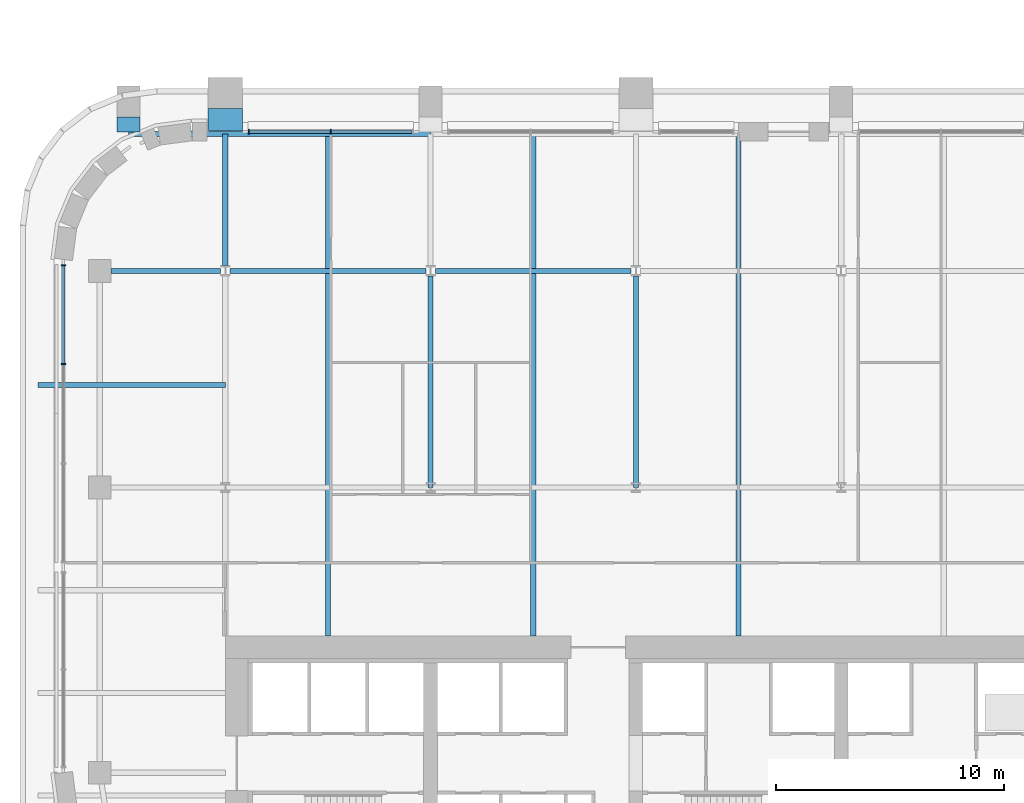
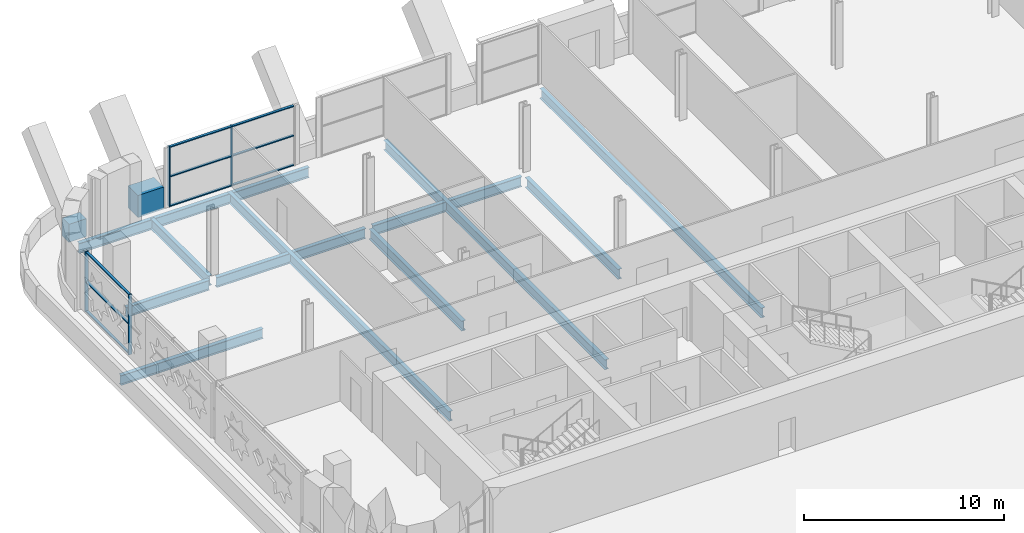
# One storey, part 8 of 26: 13 beams, 13 members, 2 elements without a shape of their own.
"""IFC4 building model written with IfcOpenShell, lengths in metres."""

from ifc_helpers import new_model, si_unit, direction, frame, origin, origin_2d, place, context, subcontext, project, spatial, rectangle, i_section, extrude, material, material_profile, profile_set, type_object, element, aggregate, save


model = new_model("IFC4")

# Units and contexts
model_context = context("Model", 3, precision=1e-05, world=origin(), true_north=direction((0.0, 1.0)))
body_context = subcontext(model_context, "Body", "Model", "MODEL_VIEW")
ifc_project = project(units=[si_unit("LENGTHUNIT", "METRE"), si_unit("AREAUNIT", "SQUARE_METRE"), si_unit("VOLUMEUNIT", "CUBIC_METRE"), si_unit("PLANEANGLEUNIT", "RADIAN"), si_unit("MASSUNIT", "GRAM", prefix="KILO")], contexts=[model_context])

# Site, building, storey
site_placement = place(None, origin())
site = spatial("IfcSite", under=ifc_project, at=site_placement, CompositionType="ELEMENT")
building_placement = place(site_placement, origin())
building = spatial("IfcBuilding", under=site, at=building_placement, Name="Zellij Exchange Tower", CompositionType="ELEMENT")
storey_placement = place(building_placement, frame((0.0, 0.0, 156.5)))
storey = spatial("IfcBuildingStorey", under=building, at=storey_placement, Name="L35", CompositionType="ELEMENT", Elevation=156.5)

# Curtain wall, members
ifc_material_1 = material(Name="Aluminium frame, clear insulating glass", Category="aluminium")
curtain_wall_type = type_object("IfcCurtainWallType", Name="ENV-CW6 Sky-lobby glazing", PredefinedType="NOTDEFINED", material=ifc_material_1)
curtain_wall_1_placement = place(storey_placement, origin())
curtain_wall_1 = element("IfcCurtainWall", 1, at=curtain_wall_1_placement, inside=storey, type_object=curtain_wall_type, Name="cw.L35.14i", PredefinedType="NOTDEFINED")
ifc_material_2 = material(Name="Aluminium", Category="aluminium")
ifc_material_profile_1 = material_profile(ifc_material_2, rectangle(XDim=0.06005859375, YDim=0.199951171875, at=origin_2d()), Name="AL 60x200")
ifc_profile_set_1 = profile_set([ifc_material_profile_1], Name="Aluminium")
member_type_1 = type_object("IfcMemberType", Name="ENV-CW6M Mullion 60x200", PredefinedType="MULLION", material=ifc_profile_set_1)
member_1_placement = place(storey_placement, frame((-22.375, 20.10009765625, 0.0), z_axis=(0.0, 0.0, 1.0), x_axis=(-1.0, 0.0, 0.0)))
member_1 = element("IfcMember", 2, at=member_1_placement, type_object=member_type_1, Name="CW6 mullion 2", PredefinedType="MULLION", context=body_context, shape_type="SweptSolid", body=[
    extrude(rectangle(XDim=0.06005859375, YDim=0.199951171875, at=origin_2d()), origin(), (0.0, 0.0, 1.0), 3.64990234375),
])
member_2_placement = place(storey_placement, frame((-25.969970703125, 20.10009765625, 0.0), z_axis=(0.0, 0.0, 1.0), x_axis=(-1.0, 0.0, 0.0)))
member_2 = element("IfcMember", 3, at=member_2_placement, type_object=member_type_1, Name="CW6 mullion 3", PredefinedType="MULLION", context=body_context, shape_type="SweptSolid", body=[
    extrude(rectangle(XDim=0.06005859375, YDim=0.199951171875, at=origin_2d()), origin(), (0.0, 0.0, 1.0), 3.64990234375),
])

curtain_wall_2_placement = place(storey_placement, origin())
curtain_wall_2 = element("IfcCurtainWall", 4, at=curtain_wall_2_placement, inside=storey, type_object=curtain_wall_type, Name="cw.L35.21a", PredefinedType="NOTDEFINED")
member_3_placement = place(storey_placement, frame((-34.10009765625, 14.243896484375, 0.0), z_axis=(0.0, 0.0, 1.0), x_axis=(0.0, -1.0, 0.0)))
member_3 = element("IfcMember", 5, at=member_3_placement, type_object=member_type_1, Name="CW6 mullion 1", PredefinedType="MULLION", context=body_context, shape_type="SweptSolid", body=[
    extrude(rectangle(XDim=0.06005859375, YDim=0.199951171875, at=origin_2d()), origin(), (0.0, 0.0, 1.0), 3.64990234375),
])
member_4_placement = place(storey_placement, frame((-34.10009765625, 9.917724609375, 0.0), z_axis=(0.0, 0.0, 1.0), x_axis=(0.0, -1.0, 0.0)))
member_4 = element("IfcMember", 6, at=member_4_placement, type_object=member_type_1, Name="CW6 mullion 2", PredefinedType="MULLION", context=body_context, shape_type="SweptSolid", body=[
    extrude(rectangle(XDim=0.06005859375, YDim=0.199951171875, at=origin_2d()), origin(), (0.0, 0.0, 1.0), 3.64990234375),
])

# Member
ifc_material_profile_2 = material_profile(ifc_material_2, rectangle(XDim=0.139892578125, YDim=0.06005859375, at=origin_2d()), Name="AL 140x60")
ifc_profile_set_2 = profile_set([ifc_material_profile_2], Name="Aluminium")
member_type_2 = type_object("IfcMemberType", Name="ENV-CW6T Transom 140x60", PredefinedType="USERDEFINED", material=ifc_profile_set_2)
member_5_placement = place(storey_placement, frame((-18.81005859375, 20.10009765625, 0.030029296875), z_axis=(-1.0, 0.0, 0.0), x_axis=(0.0, -1.0, 0.0)))
member_5 = element("IfcMember", 7, at=member_5_placement, type_object=member_type_2, Name="CW6 transom 1.1", ObjectType="TRANSOM", PredefinedType="USERDEFINED", context=body_context, shape_type="SweptSolid", body=[
    extrude(rectangle(XDim=0.139892578125, YDim=0.06005859375, at=origin_2d()), origin(), (0.0, 0.0, 1.0), 3.534912109375),
])

member_6_placement = place(storey_placement, frame((-18.81005859375, 20.10009765625, 1.824951171875), z_axis=(-1.0, 0.0, 0.0), x_axis=(0.0, -1.0, 0.0)))
member_6 = element("IfcMember", 8, at=member_6_placement, type_object=member_type_2, Name="CW6 transom 1.2", ObjectType="TRANSOM", PredefinedType="USERDEFINED", context=body_context, shape_type="SweptSolid", body=[
    extrude(rectangle(XDim=0.139892578125, YDim=0.06005859375, at=origin_2d()), origin(), (0.0, 0.0, 1.0), 3.534912109375),
])

member_7_placement = place(storey_placement, frame((-18.81005859375, 20.10009765625, 3.6201171875), z_axis=(-1.0, 0.0, 0.0), x_axis=(0.0, -1.0, 0.0)))
member_7 = element("IfcMember", 9, at=member_7_placement, type_object=member_type_2, Name="CW6 transom 1.3", ObjectType="TRANSOM", PredefinedType="USERDEFINED", context=body_context, shape_type="SweptSolid", body=[
    extrude(rectangle(XDim=0.139892578125, YDim=0.06005859375, at=origin_2d()), origin(), (0.0, 0.0, 1.0), 3.534912109375),
])

member_8_placement = place(storey_placement, frame((-22.405029296875, 20.10009765625, 0.030029296875), z_axis=(-1.0, 0.0, 0.0), x_axis=(0.0, -1.0, 0.0)))
member_8 = element("IfcMember", 10, at=member_8_placement, type_object=member_type_2, Name="CW6 transom 2.1", ObjectType="TRANSOM", PredefinedType="USERDEFINED", context=body_context, shape_type="SweptSolid", body=[
    extrude(rectangle(XDim=0.139892578125, YDim=0.06005859375, at=origin_2d()), origin(), (0.0, 0.0, 1.0), 3.534912109375),
])

member_9_placement = place(storey_placement, frame((-22.405029296875, 20.10009765625, 1.824951171875), z_axis=(-1.0, 0.0, 0.0), x_axis=(0.0, -1.0, 0.0)))
member_9 = element("IfcMember", 11, at=member_9_placement, type_object=member_type_2, Name="CW6 transom 2.2", ObjectType="TRANSOM", PredefinedType="USERDEFINED", context=body_context, shape_type="SweptSolid", body=[
    extrude(rectangle(XDim=0.139892578125, YDim=0.06005859375, at=origin_2d()), origin(), (0.0, 0.0, 1.0), 3.534912109375),
])

member_10_placement = place(storey_placement, frame((-22.405029296875, 20.10009765625, 3.6201171875), z_axis=(-1.0, 0.0, 0.0), x_axis=(0.0, -1.0, 0.0)))
member_10 = element("IfcMember", 12, at=member_10_placement, type_object=member_type_2, Name="CW6 transom 2.3", ObjectType="TRANSOM", PredefinedType="USERDEFINED", context=body_context, shape_type="SweptSolid", body=[
    extrude(rectangle(XDim=0.139892578125, YDim=0.06005859375, at=origin_2d()), origin(), (0.0, 0.0, 1.0), 3.534912109375),
])

aggregate(curtain_wall_1, [member_1, member_2, member_5, member_6, member_7, member_8, member_9, member_10])

member_11_placement = place(storey_placement, frame((-34.10009765625, 14.2138671875, 0.030029296875), z_axis=(0.0, -1.0, 0.0), x_axis=(1.0, 0.0, 0.0)))
member_11 = element("IfcMember", 13, at=member_11_placement, type_object=member_type_2, Name="CW6 transom 1.1", ObjectType="TRANSOM", PredefinedType="USERDEFINED", context=body_context, shape_type="SweptSolid", body=[
    extrude(rectangle(XDim=0.139892578125, YDim=0.06005859375, at=origin_2d()), origin(), (0.0, 0.0, 1.0), 4.26611328125),
])

member_12_placement = place(storey_placement, frame((-34.10009765625, 14.2138671875, 1.824951171875), z_axis=(0.0, -1.0, 0.0), x_axis=(1.0, 0.0, 0.0)))
member_12 = element("IfcMember", 14, at=member_12_placement, type_object=member_type_2, Name="CW6 transom 1.2", ObjectType="TRANSOM", PredefinedType="USERDEFINED", context=body_context, shape_type="SweptSolid", body=[
    extrude(rectangle(XDim=0.139892578125, YDim=0.06005859375, at=origin_2d()), origin(), (0.0, 0.0, 1.0), 4.26611328125),
])

member_13_placement = place(storey_placement, frame((-34.10009765625, 14.2138671875, 3.6201171875), z_axis=(0.0, -1.0, 0.0), x_axis=(1.0, 0.0, 0.0)))
member_13 = element("IfcMember", 15, at=member_13_placement, type_object=member_type_2, Name="CW6 transom 1.3", ObjectType="TRANSOM", PredefinedType="USERDEFINED", context=body_context, shape_type="SweptSolid", body=[
    extrude(rectangle(XDim=0.139892578125, YDim=0.06005859375, at=origin_2d()), origin(), (0.0, 0.0, 1.0), 4.26611328125),
])

aggregate(curtain_wall_2, [member_3, member_4, member_11, member_12, member_13])

# Beams
ifc_material_3 = material(Name="Structural steel ASTM A992 Gr 50", Category="steel")
ifc_material_profile_3 = material_profile(ifc_material_3, i_section(OverallWidth=0.227783203125, OverallDepth=0.60205078125, WebThickness=0.010498046875, FlangeThickness=0.014892578125, at=origin_2d()), Name="W24x68")
ifc_profile_set_3 = profile_set([ifc_material_profile_3], Name="Structural steel ASTM A992 Gr 50")
beam_type_1 = type_object("IfcBeamType", Name="STR-BEAM W24x68", PredefinedType="BEAM", material=ifc_profile_set_3)
for number, where, z_axis, x_axis, name in (
    (16, (-22.5, -2.0, -0.60107421875), (0.0, 1.0, 0.0), (-1.0, 0.0, 0.0), "B5"),
    (17, (-13.5, -2.0, -0.60107421875), (0.0, 1.0, 0.0), (-1.0, 0.0, 0.0), "B5"),
    (18, (-4.5, -2.0, -0.60107421875), (0.0, 1.0, 0.0), (-1.0, 0.0, 0.0), "B5"),
):
    element("IfcBeam", number, at=place(storey_placement, frame(where, z_axis=z_axis, x_axis=x_axis)), inside=storey, type_object=beam_type_1, Name=name, PredefinedType="BEAM", context=body_context, shape_type="SweptSolid", body=[
        extrude(i_section(OverallWidth=0.227783203125, OverallDepth=0.60205078125, WebThickness=0.010498046875, FlangeThickness=0.014892578125, at=origin_2d()), origin(), (0.0, 0.0, 1.0), 22.114501953125),
    ])
beam_1_placement = place(storey_placement, frame((-35.199951171875, 9.0, -0.60107421875), z_axis=(1.0, 0.0, 0.0), x_axis=(0.0, 1.0, 0.0)))
element("IfcBeam", 19, at=beam_1_placement, inside=storey, type_object=beam_type_1, Name="B5", PredefinedType="BEAM", context=body_context, shape_type="SweptSolid", body=[
    extrude(i_section(OverallWidth=0.227783203125, OverallDepth=0.60205078125, WebThickness=0.010498046875, FlangeThickness=0.014892578125, at=origin_2d()), origin(), (0.0, 0.0, 1.0), 8.199951171875),
])
ifc_material_profile_4 = material_profile(ifc_material_3, i_section(OverallWidth=0.22900390625, OverallDepth=0.612060546875, WebThickness=0.011962890625, FlangeThickness=0.01953125, at=origin_2d()), Name="W24x84")
ifc_profile_set_4 = profile_set([ifc_material_profile_4], Name="Structural steel ASTM A992 Gr 50")
beam_type_2 = type_object("IfcBeamType", Name="STR-GIRDER W24x84", PredefinedType="BEAM", material=ifc_profile_set_4)
beam_2_placement = place(storey_placement, frame((-32.0, 14.0, -0.606201171875), z_axis=(1.0, 0.0, 0.0), x_axis=(0.0, 1.0, 0.0)))
element("IfcBeam", 20, at=beam_2_placement, inside=storey, type_object=beam_type_2, Name="G4", PredefinedType="BEAM", context=body_context, shape_type="SweptSolid", body=[
    extrude(i_section(OverallWidth=0.22900390625, OverallDepth=0.612060546875, WebThickness=0.011962890625, FlangeThickness=0.01953125, at=origin_2d()), origin(), (0.0, 0.0, 1.0), 4.790283203125),
])
for number, where, z_axis, x_axis, name in (
    (21, (-26.790283203125, 14.0, -0.606201171875), (1.0, 0.0, 0.0), (0.0, 1.0, 0.0), "G4"),
    (22, (-17.790283203125, 14.0, -0.606201171875), (1.0, 0.0, 0.0), (0.0, 1.0, 0.0), "G4"),
):
    element("IfcBeam", number, at=place(storey_placement, frame(where, z_axis=z_axis, x_axis=x_axis)), inside=storey, type_object=beam_type_2, Name=name, PredefinedType="BEAM", context=body_context, shape_type="SweptSolid", body=[
        extrude(i_section(OverallWidth=0.22900390625, OverallDepth=0.612060546875, WebThickness=0.011962890625, FlangeThickness=0.01953125, at=origin_2d()), origin(), (0.0, 0.0, 1.0), 8.58056640625),
    ])
beam_3_placement = place(storey_placement, frame((-31.25, 20.0, -0.606201171875), z_axis=(1.0, 0.0, 0.0), x_axis=(0.0, 1.0, 0.0)))
element("IfcBeam", 23, at=beam_3_placement, inside=storey, type_object=beam_type_2, Name="G4", PredefinedType="BEAM", context=body_context, shape_type="SweptSolid", body=[
    extrude(i_section(OverallWidth=0.22900390625, OverallDepth=0.612060546875, WebThickness=0.011962890625, FlangeThickness=0.01953125, at=origin_2d()), origin(), (0.0, 0.0, 1.0), 13.25),
])
beam_4_placement = place(storey_placement, frame((-27.0, 14.227294921875, -0.606201171875), z_axis=(0.0, 1.0, 0.0), x_axis=(-1.0, 0.0, 0.0)))
element("IfcBeam", 24, at=beam_4_placement, inside=storey, type_object=beam_type_2, Name="G4", PredefinedType="BEAM", context=body_context, shape_type="SweptSolid", body=[
    extrude(i_section(OverallWidth=0.22900390625, OverallDepth=0.612060546875, WebThickness=0.011962890625, FlangeThickness=0.01953125, at=origin_2d()), origin(), (0.0, 0.0, 1.0), 5.772705078125),
])
for number, where, z_axis, x_axis, name in (
    (25, (-18.0, 4.5, -0.606201171875), (0.0, 1.0, 0.0), (-1.0, 0.0, 0.0), "G4"),
    (26, (-9.0, 4.5, -0.606201171875), (0.0, 1.0, 0.0), (-1.0, 0.0, 0.0), "G4"),
):
    element("IfcBeam", number, at=place(storey_placement, frame(where, z_axis=z_axis, x_axis=x_axis)), inside=storey, type_object=beam_type_2, Name=name, PredefinedType="BEAM", context=body_context, shape_type="SweptSolid", body=[
        extrude(i_section(OverallWidth=0.22900390625, OverallDepth=0.612060546875, WebThickness=0.011962890625, FlangeThickness=0.01953125, at=origin_2d()), origin(), (0.0, 0.0, 1.0), 9.272705078125),
    ])
ifc_material_4 = material(Name="Concrete C60/75", Category="concrete")
ifc_material_profile_5 = material_profile(ifc_material_4, rectangle(XDim=1.0, YDim=1.10009765625, at=origin_2d()), Name="STR-KNUCKLE BLOCK RC1000x1100 C60/75")
ifc_profile_set_5 = profile_set([ifc_material_profile_5], Name="Concrete C60/75")
beam_type_3 = type_object("IfcBeamType", Name="STR-KNUCKLE BLOCK RC1000x1100 C60/75", PredefinedType="BEAM", material=ifc_profile_set_5)
beam_5_placement = place(storey_placement, frame((-31.25, 20.088134765625, 0.375), z_axis=(0.0, 1.0, 0.0), x_axis=(-1.0, 0.0, 0.0)))
element("IfcBeam", 27, at=beam_5_placement, inside=storey, type_object=beam_type_3, Name="KB3", PredefinedType="BEAM", context=body_context, shape_type="SweptSolid", body=[
    extrude(rectangle(XDim=1.0, YDim=1.10009765625, at=origin_2d()), origin(), (0.0, 0.0, 1.0), 0.66455078125),
])
ifc_material_profile_6 = material_profile(ifc_material_4, rectangle(XDim=1.5, YDim=1.35009765625, at=origin_2d()), Name="STR-KNUCKLE BLOCK RC1500x1350 C60/75")
ifc_profile_set_6 = profile_set([ifc_material_profile_6], Name="Concrete C60/75")
beam_type_4 = type_object("IfcBeamType", Name="STR-KNUCKLE BLOCK RC1500x1350 C60/75", PredefinedType="BEAM", material=ifc_profile_set_6)
beam_6_placement = place(storey_placement, frame((-27.0, 20.13232421875, 0.574951171875), z_axis=(0.0, 1.0, 0.0), x_axis=(-1.0, 0.0, 0.0)))
element("IfcBeam", 28, at=beam_6_placement, inside=storey, type_object=beam_type_4, Name="KB8", PredefinedType="BEAM", context=body_context, shape_type="SweptSolid", body=[
    extrude(rectangle(XDim=1.5, YDim=1.35009765625, at=origin_2d()), origin(), (0.0, 0.0, 1.0), 0.99658203125),
])

save(model, "model.ifc")
